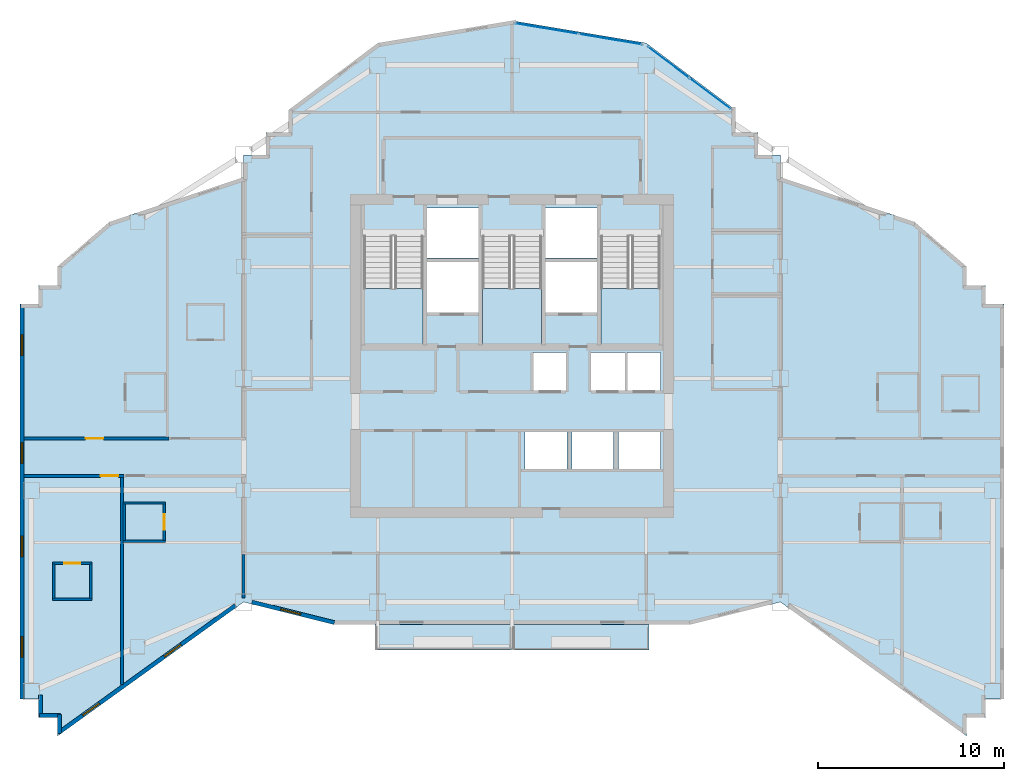
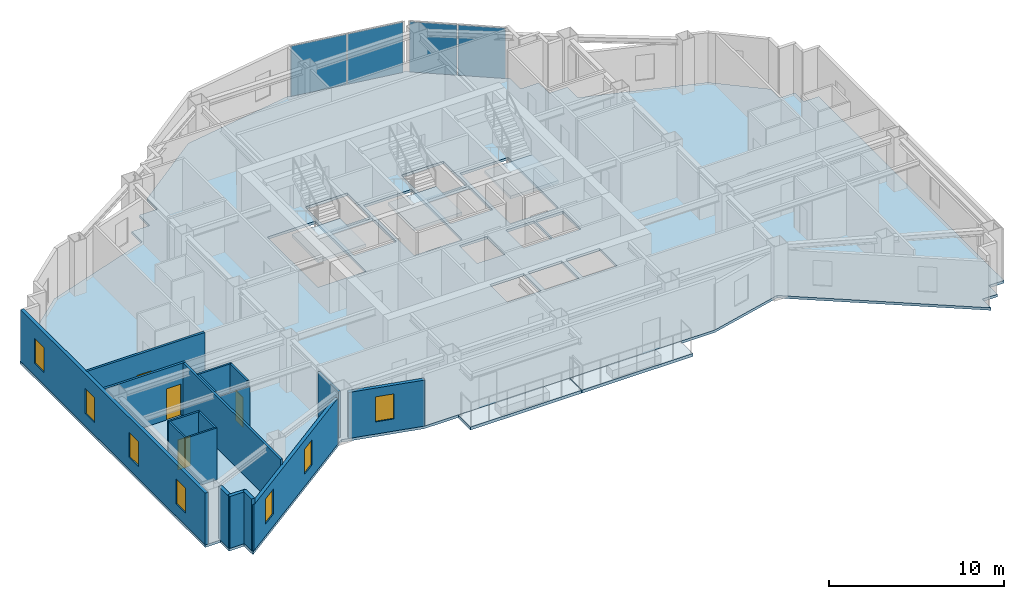
# One storey, part 4 of 10: 18 walls, 7 windows, 6 slabs, 4 doors, 4 plates, 11 openings, 5 elements without a shape of their own.
"""IFC4 building model written with IfcOpenShell, lengths in metres."""

from ifc_helpers import new_model, si_unit, direction, frame, frame_2d, origin, origin_2d, place, context, subcontext, project, spatial, polyline, rectangle, outline, extrude, material, layer, layer_set, type_object, element, fill, aggregate, save


model = new_model("IFC4")

# Units and contexts
model_context = context("Model", 3, precision=1e-05, world=origin(), true_north=direction((0.0, 1.0)))
body_context = subcontext(model_context, "Body", "Model", "MODEL_VIEW")
ifc_project = project(units=[si_unit("LENGTHUNIT", "METRE"), si_unit("AREAUNIT", "SQUARE_METRE"), si_unit("VOLUMEUNIT", "CUBIC_METRE"), si_unit("PLANEANGLEUNIT", "RADIAN"), si_unit("MASSUNIT", "GRAM", prefix="KILO")], contexts=[model_context])

# Site, building, storey
site_placement = place(None, origin())
site = spatial("IfcSite", under=ifc_project, at=site_placement, CompositionType="ELEMENT")
building_placement = place(site_placement, origin())
building = spatial("IfcBuilding", under=site, at=building_placement, Name="Haolan Belvedere Tower", CompositionType="ELEMENT")
storey_placement = place(building_placement, frame((0.0, 0.0, 180.39990234375)))
storey = spatial("IfcBuildingStorey", under=building, at=storey_placement, Name="L45", CompositionType="ELEMENT", Elevation=180.39990234375)

# Curtain wall, plates
ifc_material_1 = material(Name="Anodised champagne-silver aluminium 6063-T6 and Low-E glass", Category="aluminium")
ifc_layer_1 = layer(ifc_material_1, 0.14990234375, Name="Anodised champagne-silver aluminium 6063-T6 and Low-E glass")
ifc_layer_set_1 = layer_set([ifc_layer_1], Name="Anodised champagne-silver aluminium 6063-T6 and Low-E glass")
curtain_wall_type = type_object("IfcCurtainWallType", Name="CW-SYS-04", PredefinedType="NOTDEFINED", material=ifc_layer_set_1)
curtain_wall_1_placement = place(storey_placement, origin())
curtain_wall_1 = element("IfcCurtainWall", 1, at=curtain_wall_1_placement, inside=storey, type_object=curtain_wall_type, Name="L45 CW-SYS-04 ribbon curtain wall 20.1", PredefinedType="NOTDEFINED")
ifc_material_2 = material(Name="Double silver Low-E laminated insulating glass", Category="glass")
ifc_layer_2 = layer(ifc_material_2, 0.02392578125, Name="Double silver Low-E laminated insulating glass")
ifc_layer_set_2 = layer_set([ifc_layer_2], Name="Double silver Low-E laminated insulating glass")
plate_type = type_object("IfcPlateType", Name="CW-SYS-04-PNL", PredefinedType="CURTAIN_PANEL", material=ifc_layer_set_2)
plate_1_placement = place(storey_placement, frame((49.0390625, 48.883056640625, 0.052001953125), z_axis=(0.0, 0.0, 1.0), x_axis=(-0.799997871638, 0.600002837806, 0.0)))
plate_1 = element("IfcPlate", 2, at=plate_1_placement, type_object=plate_type, Name="CW-04 panel 1.1", PredefinedType="CURTAIN_PANEL", context=body_context, shape_type="SweptSolid", body=[
    extrude(rectangle(XDim=2.735107421875, YDim=0.02392578125, at=origin_2d()), origin(), (0.0, 0.0, 1.0), 3.51611328125),
])
plate_2_placement = place(storey_placement, frame((46.806396484375, 50.557861328125, 0.052001953125), z_axis=(0.0, 0.0, 1.0), x_axis=(-0.799997871638, 0.600002837806, 0.0)))
plate_2 = element("IfcPlate", 3, at=plate_2_placement, type_object=plate_type, Name="CW-04 panel 2.1", PredefinedType="CURTAIN_PANEL", context=body_context, shape_type="SweptSolid", body=[
    extrude(rectangle(XDim=2.735107421875, YDim=0.02392578125, at=origin_2d()), origin(), (0.0, 0.0, 1.0), 3.51611328125),
])
aggregate(curtain_wall_1, [plate_1, plate_2])

curtain_wall_2_placement = place(storey_placement, origin())
curtain_wall_2 = element("IfcCurtainWall", 4, at=curtain_wall_2_placement, inside=storey, type_object=curtain_wall_type, Name="L45 CW-SYS-04 ribbon curtain wall 21.1", PredefinedType="NOTDEFINED")
plate_3_placement = place(storey_placement, frame((43.683837890625, 51.807861328125, 0.052001953125), z_axis=(0.0, 0.0, 1.0), x_axis=(-0.98639276122, 0.164405962825, 0.0)))
plate_3 = element("IfcPlate", 5, at=plate_3_placement, type_object=plate_type, Name="CW-04 panel 1.1", PredefinedType="CURTAIN_PANEL", context=body_context, shape_type="SweptSolid", body=[
    extrude(rectangle(XDim=3.403076171875, YDim=0.02392578125, at=origin_2d()), origin(), (0.0, 0.0, 1.0), 3.51611328125),
])
plate_4_placement = place(storey_placement, frame((40.271728515625, 52.37646484375, 0.052001953125), z_axis=(0.0, 0.0, 1.0), x_axis=(-0.98639276122, 0.164405962825, 0.0)))
plate_4 = element("IfcPlate", 6, at=plate_4_placement, type_object=plate_type, Name="CW-04 panel 2.1", PredefinedType="CURTAIN_PANEL", context=body_context, shape_type="SweptSolid", body=[
    extrude(rectangle(XDim=3.403076171875, YDim=0.02392578125, at=origin_2d()), origin(), (0.0, 0.0, 1.0), 3.51611328125),
])
aggregate(curtain_wall_2, [plate_3, plate_4])

# Slabs
ifc_material_3 = material(Name="Concrete C40/50", Category="concrete")
ifc_layer_3 = layer(ifc_material_3, 0.2099609375, Name="Concrete C40/50")
ifc_layer_set_3 = layer_set([ifc_layer_3], Name="Concrete C40/50")
slab_type_1 = type_object("IfcSlabType", Name="SL-BAL-210", PredefinedType="FLOOR", material=ifc_layer_set_3)
slab_1_placement = place(storey_placement, frame((0.0, 0.0, -0.22998046875)))
element("IfcSlab", 7, at=slab_1_placement, inside=storey, type_object=slab_type_1, Name="L45 structural tree-planter balcony slab BAL-L45-S1", PredefinedType="FLOOR", context=body_context, shape_type="SweptSolid", body=[
    extrude(outline(polyline([(31.050048828125, 19.02001953125), (38.3798828125, 19.02001953125), (38.3798828125, 20.39990234375), (31.050048828125, 20.39990234375), (31.050048828125, 19.02001953125)])), origin(), (0.0, 0.0, 1.0), 0.2099609375),
])
slab_2_placement = place(storey_placement, frame((0.0, 0.0, -0.22998046875)))
element("IfcSlab", 8, at=slab_2_placement, inside=storey, type_object=slab_type_1, Name="L45 structural tree-planter balcony slab BAL-L45-S2", PredefinedType="FLOOR", context=body_context, shape_type="SweptSolid", body=[
    extrude(outline(polyline([(38.419921875, 19.02001953125), (45.75, 19.02001953125), (45.75, 20.39990234375), (38.419921875, 20.39990234375), (38.419921875, 19.02001953125)])), origin(), (0.0, 0.0, 1.0), 0.2099609375),
])
ifc_layer_4 = layer(ifc_material_3, 0.179931640625, Name="Concrete C40/50")
ifc_layer_set_4 = layer_set([ifc_layer_4], Name="Concrete C40/50")
slab_type_2 = type_object("IfcSlabType", Name="SL-FLR-180", PredefinedType="FLOOR", material=ifc_layer_set_4)
slab_3_placement = place(storey_placement, frame((0.0, 0.0, -0.179931640625)))
element("IfcSlab", 9, at=slab_3_placement, inside=storey, type_object=slab_type_2, Name="L45 structural floor slab", PredefinedType="FLOOR", context=body_context, shape_type="SweptSolid", body=[
    extrude(outline(polyline([(24.0, 21.60009765625), (28.800048828125, 20.39990234375), (48.0, 20.39990234375), (52.800048828125, 21.60009765625), (62.800048828125, 14.39990234375), (62.800048828125, 15.39990234375), (63.800048828125, 15.39990234375), (63.800048828125, 16.39990234375), (64.800048828125, 16.39990234375), (64.800048828125, 37.60009765625), (63.800048828125, 37.60009765625), (63.800048828125, 38.60009765625), (62.800048828125, 38.60009765625), (62.800048828125, 39.60009765625), (60.0, 42.0), (52.800048828125, 44.39990234375), (52.800048828125, 45.60009765625), (51.60009765625, 45.60009765625), (51.60009765625, 46.800048828125), (50.39990234375, 46.800048828125), (50.39990234375, 48.0), (45.60009765625, 51.60009765625), (38.39990234375, 52.800048828125), (31.199951171875, 51.60009765625), (26.39990234375, 48.0), (26.39990234375, 46.800048828125), (25.199951171875, 46.800048828125), (25.199951171875, 45.60009765625), (24.0, 45.60009765625), (24.0, 44.39990234375), (16.800048828125, 42.0), (14.0, 39.60009765625), (14.0, 38.60009765625), (13.0, 38.60009765625), (13.0, 37.60009765625), (12.0, 37.60009765625), (12.0, 16.800048828125), (12.0, 16.39990234375), (13.0, 16.39990234375), (13.0, 15.39990234375), (14.0, 15.39990234375), (14.0, 14.39990234375), (24.0, 21.60009765625)]), holes=[polyline([(30.449951171875, 41.22998046875), (30.449951171875, 35.449951171875), (33.6298828125, 35.449951171875), (33.6298828125, 41.22998046875), (30.449951171875, 41.22998046875)]), polyline([(36.81005859375, 41.22998046875), (36.81005859375, 35.449951171875), (39.989990234375, 35.449951171875), (39.989990234375, 41.22998046875), (36.81005859375, 41.22998046875)]), polyline([(43.169921875, 41.22998046875), (43.169921875, 35.449951171875), (46.35009765625, 35.449951171875), (46.35009765625, 41.22998046875), (43.169921875, 41.22998046875)]), polyline([(33.830078125, 40.050048828125), (36.610107421875, 40.050048828125), (36.610107421875, 42.75), (33.830078125, 42.75), (33.830078125, 40.050048828125)]), polyline([(33.830078125, 37.14990234375), (36.610107421875, 37.14990234375), (36.610107421875, 39.85009765625), (33.830078125, 39.85009765625), (33.830078125, 37.14990234375)]), polyline([(40.18994140625, 40.050048828125), (42.969970703125, 40.050048828125), (42.969970703125, 42.75), (40.18994140625, 42.75), (40.18994140625, 40.050048828125)]), polyline([(40.18994140625, 37.14990234375), (42.969970703125, 37.14990234375), (42.969970703125, 39.85009765625), (40.18994140625, 39.85009765625), (40.18994140625, 37.14990234375)]), polyline([(39.5400390625, 32.949951171875), (41.389892578125, 32.949951171875), (41.389892578125, 35.0), (39.5400390625, 35.0), (39.5400390625, 32.949951171875)]), polyline([(42.6201171875, 32.949951171875), (44.469970703125, 32.949951171875), (44.469970703125, 35.0), (42.6201171875, 35.0), (42.6201171875, 32.949951171875)]), polyline([(44.580078125, 32.949951171875), (46.3798828125, 32.949951171875), (46.3798828125, 35.0), (44.580078125, 35.0), (44.580078125, 32.949951171875)]), polyline([(39.10009765625, 28.75), (41.340087890625, 28.75), (41.340087890625, 30.75), (39.10009765625, 30.75), (39.10009765625, 28.75)]), polyline([(41.610107421875, 28.75), (43.85009765625, 28.75), (43.85009765625, 30.75), (41.610107421875, 30.75), (41.610107421875, 28.75)]), polyline([(44.1201171875, 28.75), (46.360107421875, 28.75), (46.360107421875, 30.75), (44.1201171875, 30.75), (44.1201171875, 28.75)])]), origin(), (0.0, 0.0, 1.0), 0.179931640625),
])

# Stair, slab
stair_type = type_object("IfcStairType", Name="STR-DL-22R-173", PredefinedType="HALF_TURN_STAIR", material=ifc_material_3)
stair_1_placement = place(storey_placement, origin())
stair_1 = element("IfcStair", 10, at=stair_1_placement, inside=storey, type_object=stair_type, Name="L45 Smokeproof Core Exit Stair ST1", PredefinedType="HALF_TURN_STAIR")
ifc_layer_5 = layer(ifc_material_3, 0.199951171875, Name="Concrete C40/50")
ifc_layer_set_5 = layer_set([ifc_layer_5], Name="Concrete C40/50")
slab_type_3 = type_object("IfcSlabType", Name="SL-LAND-200", PredefinedType="LANDING", material=ifc_layer_set_5)
slab_4_placement = place(storey_placement, frame((0.0, 0.0, 1.7001953125)))
slab_4 = element("IfcSlab", 11, at=slab_4_placement, type_object=slab_type_3, Name="ST1 landing 1", PredefinedType="LANDING", context=body_context, shape_type="SweptSolid", body=[
    extrude(outline(polyline([(30.449951171875, 38.429931640625), (30.449951171875, 35.449951171875), (33.6298828125, 35.449951171875), (33.6298828125, 38.429931640625), (30.449951171875, 38.429931640625)])), origin(), (0.0, 0.0, 1.0), 0.199951171875),
])
aggregate(stair_1, [slab_4])

stair_2_placement = place(storey_placement, origin())
stair_2 = element("IfcStair", 12, at=stair_2_placement, inside=storey, type_object=stair_type, Name="L45 Smokeproof Core Exit Stair ST3", PredefinedType="HALF_TURN_STAIR")
slab_5_placement = place(storey_placement, frame((0.0, 0.0, 1.7001953125)))
slab_5 = element("IfcSlab", 13, at=slab_5_placement, type_object=slab_type_3, Name="ST3 landing 1", PredefinedType="LANDING", context=body_context, shape_type="SweptSolid", body=[
    extrude(outline(polyline([(36.81005859375, 38.429931640625), (36.81005859375, 35.449951171875), (39.989990234375, 35.449951171875), (39.989990234375, 38.429931640625), (36.81005859375, 38.429931640625)])), origin(), (0.0, 0.0, 1.0), 0.199951171875),
])
aggregate(stair_2, [slab_5])

stair_3_placement = place(storey_placement, origin())
stair_3 = element("IfcStair", 14, at=stair_3_placement, inside=storey, type_object=stair_type, Name="L45 Smokeproof Core Exit Stair ST2", PredefinedType="HALF_TURN_STAIR")
slab_6_placement = place(storey_placement, frame((0.0, 0.0, 1.7001953125)))
slab_6 = element("IfcSlab", 15, at=slab_6_placement, type_object=slab_type_3, Name="ST2 landing 1", PredefinedType="LANDING", context=body_context, shape_type="SweptSolid", body=[
    extrude(outline(polyline([(43.169921875, 38.429931640625), (43.169921875, 35.449951171875), (46.35009765625, 35.449951171875), (46.35009765625, 38.429931640625), (43.169921875, 38.429931640625)])), origin(), (0.0, 0.0, 1.0), 0.199951171875),
])
aggregate(stair_3, [slab_6])

# Wall, openings, windows
ifc_material_4 = material(Name="Precast concrete C40/50", Category="concrete")
ifc_layer_6 = layer(ifc_material_4, 0.219970703125, Name="Precast concrete C40/50")
ifc_layer_set_6 = layer_set([ifc_layer_6], Name="Precast concrete C40/50")
wall_type_1 = type_object("IfcWallType", Name="WL-EXT-220", PredefinedType="SOLIDWALL", material=ifc_layer_set_6)
wall_1_placement = place(storey_placement, frame((12.110107421875, 37.544921875, 0.0), z_axis=(0.0, 0.0, 1.0), x_axis=(0.0, -1.0, 0.0)))
wall_1 = element("IfcWall", 16, at=wall_1_placement, inside=storey, type_object=wall_type_1, Name="L45 pale-metal exterior spandrel wall 35.1", PredefinedType="SOLIDWALL", context=body_context, shape_type="SweptSolid", body=[
    extrude(rectangle(XDim=21.14501953125, YDim=0.219970703125, at=frame_2d((10.572509765625, 0.0))), origin(), (0.0, 0.0, 1.0), 3.6201171875),
])
opening_1_placement = place(wall_1_placement, frame((1.60009765625, 0.0, 0.85009765625)))
opening_1 = element("IfcOpeningElement", 17, at=opening_1_placement, cuts=wall_1, Name="Opening W-03", PredefinedType="OPENING", context=body_context, shape_type="SweptSolid", body=[
    extrude(rectangle(XDim=1.10009765625, YDim=1.75, at=frame_2d((0.550048828125, 0.875))), frame((0.0, 0.119873046875, 0.0), z_axis=(0.0, -1.0, 0.0), x_axis=(1.0, 0.0, 0.0)), (0.0, 0.0, 1.0), 0.239990234375),
])
opening_2_placement = place(wall_1_placement, frame((7.39990234375, 0.0, 0.85009765625)))
opening_2 = element("IfcOpeningElement", 18, at=opening_2_placement, cuts=wall_1, Name="Opening W-03", PredefinedType="OPENING", context=body_context, shape_type="SweptSolid", body=[
    extrude(rectangle(XDim=1.10009765625, YDim=1.75, at=frame_2d((0.550048828125, 0.875))), frame((0.0, 0.119873046875, 0.0), z_axis=(0.0, -1.0, 0.0), x_axis=(1.0, 0.0, 0.0)), (0.0, 0.0, 1.0), 0.239990234375),
])
opening_3_placement = place(wall_1_placement, frame((12.39990234375, 0.0, 0.85009765625)))
opening_3 = element("IfcOpeningElement", 19, at=opening_3_placement, cuts=wall_1, Name="Opening W-03", PredefinedType="OPENING", context=body_context, shape_type="SweptSolid", body=[
    extrude(rectangle(XDim=1.10009765625, YDim=1.75, at=frame_2d((0.550048828125, 0.875))), frame((0.0, 0.119873046875, 0.0), z_axis=(0.0, -1.0, 0.0), x_axis=(1.0, 0.0, 0.0)), (0.0, 0.0, 1.0), 0.239990234375),
])
opening_4_placement = place(wall_1_placement, frame((17.800048828125, 0.0, 0.85009765625)))
opening_4 = element("IfcOpeningElement", 20, at=opening_4_placement, cuts=wall_1, Name="Opening W-03", PredefinedType="OPENING", context=body_context, shape_type="SweptSolid", body=[
    extrude(rectangle(XDim=1.10009765625, YDim=1.75, at=frame_2d((0.550048828125, 0.875))), frame((0.0, 0.119873046875, 0.0), z_axis=(0.0, -1.0, 0.0), x_axis=(1.0, 0.0, 0.0)), (0.0, 0.0, 1.0), 0.239990234375),
])
ifc_material_5 = material(Name="Anodised aluminium 6063-T6 and Low-E glass", Category="aluminium")
window_type = type_object("IfcWindowType", Name="WN-DECO-Z3", PartitioningType="SINGLE_PANEL", PredefinedType="WINDOW", material=ifc_material_5)
window_1_placement = place(opening_1_placement, origin())
window_1 = element("IfcWindow", 21, at=window_1_placement, inside=storey, type_object=window_type, Name="L45 Art Deco chevron window 1", OverallHeight=1.75, OverallWidth=1.10009765625, PartitioningType="SINGLE_PANEL", PredefinedType="WINDOW", context=body_context, shape_type="SweptSolid", body=[
    extrude(rectangle(XDim=1.10009765625, YDim=1.75, at=frame_2d((0.550048828125, 0.875))), frame((0.0, 0.030029296875, 0.0), z_axis=(0.0, -1.0, 0.0), x_axis=(1.0, 0.0, 0.0)), (0.0, 0.0, 1.0), 0.06005859375),
])
fill(opening_1, window_1)
window_2_placement = place(opening_2_placement, origin())
window_2 = element("IfcWindow", 22, at=window_2_placement, inside=storey, type_object=window_type, Name="L45 Art Deco chevron window 2", OverallHeight=1.75, OverallWidth=1.10009765625, PartitioningType="SINGLE_PANEL", PredefinedType="WINDOW", context=body_context, shape_type="SweptSolid", body=[
    extrude(rectangle(XDim=1.10009765625, YDim=1.75, at=frame_2d((0.550048828125, 0.875))), frame((0.0, 0.030029296875, 0.0), z_axis=(0.0, -1.0, 0.0), x_axis=(1.0, 0.0, 0.0)), (0.0, 0.0, 1.0), 0.06005859375),
])
fill(opening_2, window_2)
window_3_placement = place(opening_3_placement, origin())
window_3 = element("IfcWindow", 23, at=window_3_placement, inside=storey, type_object=window_type, Name="L45 Art Deco chevron window 3", OverallHeight=1.75, OverallWidth=1.10009765625, PartitioningType="SINGLE_PANEL", PredefinedType="WINDOW", context=body_context, shape_type="SweptSolid", body=[
    extrude(rectangle(XDim=1.10009765625, YDim=1.75, at=frame_2d((0.550048828125, 0.875))), frame((0.0, 0.030029296875, 0.0), z_axis=(0.0, -1.0, 0.0), x_axis=(1.0, 0.0, 0.0)), (0.0, 0.0, 1.0), 0.06005859375),
])
fill(opening_3, window_3)
window_4_placement = place(opening_4_placement, origin())
window_4 = element("IfcWindow", 24, at=window_4_placement, inside=storey, type_object=window_type, Name="L45 Art Deco chevron window 4", OverallHeight=1.75, OverallWidth=1.10009765625, PartitioningType="SINGLE_PANEL", PredefinedType="WINDOW", context=body_context, shape_type="SweptSolid", body=[
    extrude(rectangle(XDim=1.10009765625, YDim=1.75, at=frame_2d((0.550048828125, 0.875))), frame((0.0, 0.030029296875, 0.0), z_axis=(0.0, -1.0, 0.0), x_axis=(1.0, 0.0, 0.0)), (0.0, 0.0, 1.0), 0.06005859375),
])
fill(opening_4, window_4)

# Walls
wall_2_placement = place(storey_placement, frame((13.110107421875, 16.6201171875, 0.0), z_axis=(0.0, 0.0, 1.0), x_axis=(0.0, -1.0, 0.0)))
element("IfcWall", 25, at=wall_2_placement, inside=storey, type_object=wall_type_1, Name="L45 pale-metal exterior spandrel wall 37.1", PredefinedType="SOLIDWALL", context=body_context, shape_type="SweptSolid", body=[
    extrude(rectangle(XDim=1.1650390625, YDim=0.219970703125, at=frame_2d((0.58251953125, 0.0))), origin(), (0.0, 0.0, 1.0), 3.6201171875),
])
wall_3_placement = place(storey_placement, frame((13.054931640625, 15.510009765625, 0.0), z_axis=(0.0, 0.0, 1.0), x_axis=(1.0, 0.0, 0.0)))
element("IfcWall", 26, at=wall_3_placement, inside=storey, type_object=wall_type_1, Name="L45 pale-metal exterior spandrel wall 38.1", PredefinedType="SOLIDWALL", context=body_context, shape_type="SweptSolid", body=[
    extrude(rectangle(XDim=1.110107421875, YDim=0.219970703125, at=frame_2d((0.55517578125, 0.0))), origin(), (0.0, 0.0, 1.0), 3.6201171875),
])
wall_4_placement = place(storey_placement, frame((14.110107421875, 15.56494140625, 0.0), z_axis=(0.0, 0.0, 1.0), x_axis=(0.0, -1.0, 0.0)))
element("IfcWall", 27, at=wall_4_placement, inside=storey, type_object=wall_type_1, Name="L45 pale-metal exterior spandrel wall 39.1", PredefinedType="SOLIDWALL", context=body_context, shape_type="SweptSolid", body=[
    extrude(rectangle(XDim=1.005126953125, YDim=0.219970703125, at=frame_2d((0.50244140625, 0.0))), origin(), (0.0, 0.0, 1.0), 3.6201171875),
])

# Wall, openings, windows
wall_5_placement = place(storey_placement, frame((14.0654296875, 14.58251953125, 0.0), z_axis=(0.0, 0.0, 1.0), x_axis=(0.811534737332, 0.58430417601, 0.0)))
wall_5 = element("IfcWall", 28, at=wall_5_placement, inside=storey, type_object=wall_type_1, Name="L45 pale-metal exterior spandrel wall 40.1", PredefinedType="SOLIDWALL", context=body_context, shape_type="SweptSolid", body=[
    extrude(rectangle(XDim=11.697265625, YDim=0.219970703125, at=frame_2d((5.8486328125, 0.0))), origin(), (0.0, 0.0, 1.0), 3.215087890625),
])
opening_5_placement = place(wall_5_placement, frame((1.60009765625, 0.0, 0.85009765625)))
opening_5 = element("IfcOpeningElement", 29, at=opening_5_placement, cuts=wall_5, Name="Opening W-03", PredefinedType="OPENING", context=body_context, shape_type="SweptSolid", body=[
    extrude(rectangle(XDim=1.10009765625, YDim=1.75, at=frame_2d((0.550048828125, 0.875))), frame((0.0, 0.119873046875, 0.0), z_axis=(0.0, -1.0, 0.0), x_axis=(1.0, 0.0, 0.0)), (0.0, 0.0, 1.0), 0.239990234375),
])
opening_6_placement = place(wall_5_placement, frame((7.0, 0.0, 0.85009765625)))
opening_6 = element("IfcOpeningElement", 30, at=opening_6_placement, cuts=wall_5, Name="Opening W-03", PredefinedType="OPENING", context=body_context, shape_type="SweptSolid", body=[
    extrude(rectangle(XDim=1.10009765625, YDim=1.75, at=frame_2d((0.550048828125, 0.875))), frame((0.0, 0.119873046875, 0.0), z_axis=(0.0, -1.0, 0.0), x_axis=(1.0, 0.0, 0.0)), (0.0, 0.0, 1.0), 0.239990234375),
])
window_5_placement = place(opening_5_placement, origin())
window_5 = element("IfcWindow", 31, at=window_5_placement, inside=storey, type_object=window_type, Name="L45 Art Deco chevron window 1", OverallHeight=1.75, OverallWidth=1.10009765625, PartitioningType="SINGLE_PANEL", PredefinedType="WINDOW", context=body_context, shape_type="SweptSolid", body=[
    extrude(rectangle(XDim=1.10009765625, YDim=1.75, at=frame_2d((0.550048828125, 0.875))), frame((0.0, 0.030029296875, 0.0), z_axis=(0.0, -1.0, 0.0), x_axis=(1.0, 0.0, 0.0)), (0.0, 0.0, 1.0), 0.06005859375),
])
fill(opening_5, window_5)
window_6_placement = place(opening_6_placement, origin())
window_6 = element("IfcWindow", 32, at=window_6_placement, inside=storey, type_object=window_type, Name="L45 Art Deco chevron window 2", OverallHeight=1.75, OverallWidth=1.10009765625, PartitioningType="SINGLE_PANEL", PredefinedType="WINDOW", context=body_context, shape_type="SweptSolid", body=[
    extrude(rectangle(XDim=1.10009765625, YDim=1.75, at=frame_2d((0.550048828125, 0.875))), frame((0.0, 0.030029296875, 0.0), z_axis=(0.0, -1.0, 0.0), x_axis=(1.0, 0.0, 0.0)), (0.0, 0.0, 1.0), 0.06005859375),
])
fill(opening_6, window_6)

# Wall, opening, window
wall_6_placement = place(storey_placement, frame((24.44189453125, 21.602783203125, 0.0), z_axis=(0.0, 0.0, 1.0), x_axis=(0.970145648609, -0.242523030833, 0.0)))
wall_6 = element("IfcWall", 33, at=wall_6_placement, inside=storey, type_object=wall_type_1, Name="L45 pale-metal exterior spandrel wall 41.1", PredefinedType="SOLIDWALL", context=body_context, shape_type="SweptSolid", body=[
    extrude(rectangle(XDim=4.561279296875, YDim=0.219970703125, at=frame_2d((2.28076171875, 0.0))), origin(), (0.0, 0.0, 1.0), 3.215087890625),
])
opening_7_placement = place(wall_6_placement, frame((1.60009765625, 0.0, 0.85009765625)))
opening_7 = element("IfcOpeningElement", 34, at=opening_7_placement, cuts=wall_6, Name="Opening W-03", PredefinedType="OPENING", context=body_context, shape_type="SweptSolid", body=[
    extrude(rectangle(XDim=1.10009765625, YDim=1.75, at=frame_2d((0.550048828125, 0.875))), frame((0.0, 0.119873046875, 0.0), z_axis=(0.0, -1.0, 0.0), x_axis=(1.0, 0.0, 0.0)), (0.0, 0.0, 1.0), 0.239990234375),
])
window_7_placement = place(opening_7_placement, origin())
window_7 = element("IfcWindow", 35, at=window_7_placement, inside=storey, type_object=window_type, Name="L45 Art Deco chevron window 1", OverallHeight=1.75, OverallWidth=1.10009765625, PartitioningType="SINGLE_PANEL", PredefinedType="WINDOW", context=body_context, shape_type="SweptSolid", body=[
    extrude(rectangle(XDim=1.10009765625, YDim=1.75, at=frame_2d((0.550048828125, 0.875))), frame((0.0, 0.030029296875, 0.0), z_axis=(0.0, -1.0, 0.0), x_axis=(1.0, 0.0, 0.0)), (0.0, 0.0, 1.0), 0.06005859375),
])
fill(opening_7, window_7)

# Wall
ifc_material_6 = material(Name="Double gypsum acoustic stud partition", Category="masonry")
ifc_layer_7 = layer(ifc_material_6, 0.14990234375, Name="Double gypsum acoustic stud partition")
ifc_layer_set_7 = layer_set([ifc_layer_7], Name="Double gypsum acoustic stud partition")
wall_type_2 = type_object("IfcWallType", Name="WL-PART-150", PredefinedType="PARTITIONING", material=ifc_layer_set_7)
wall_7_placement = place(storey_placement, frame((24.0, 21.818603515625, 0.0), z_axis=(0.0, 0.0, 1.0), x_axis=(0.0, 1.0, 0.0)))
element("IfcWall", 36, at=wall_7_placement, inside=storey, type_object=wall_type_2, Name="L45 interior partition IW-L45-KS1-W", PredefinedType="PARTITIONING", context=body_context, shape_type="SweptSolid", body=[
    extrude(rectangle(XDim=2.34130859375, YDim=0.14990234375, at=frame_2d((1.170654296875, 0.0))), origin(), (0.0, 0.0, 1.0), 3.215087890625),
])

# Wall, opening, door
wall_8_placement = place(storey_placement, frame((12.2119140625, 30.3798828125, 0.0), z_axis=(0.0, 0.0, 1.0), x_axis=(1.0, 0.0, 0.0)))
wall_8 = element("IfcWall", 37, at=wall_8_placement, inside=storey, type_object=wall_type_2, Name="L45 interior partition IW-L45-T2N1-S", PredefinedType="PARTITIONING", context=body_context, shape_type="SweptSolid", body=[
    extrude(rectangle(XDim=7.7880859375, YDim=0.14990234375, at=frame_2d((3.89404296875, 0.0))), origin(), (0.0, 0.0, 1.0), 3.6201171875),
])
opening_8_placement = place(wall_8_placement, frame((3.30810546875, 0.0, 0.0)))
opening_8 = element("IfcOpeningElement", 38, at=opening_8_placement, cuts=wall_8, Name="Opening ID-01", PredefinedType="OPENING", context=body_context, shape_type="SweptSolid", body=[
    extrude(rectangle(XDim=0.949951171875, YDim=2.179931640625, at=frame_2d((0.47509765625, 1.08984375))), frame((0.0, 0.0849609375, 0.0), z_axis=(0.0, -1.0, 0.0), x_axis=(1.0, 0.0, 0.0)), (0.0, 0.0, 1.0), 0.169921875),
])
ifc_material_7 = material(Name="Acoustic walnut veneer fire-rated timber", Category="wood")
door_type_1 = type_object("IfcDoorType", Name="DR-SUITE-950", OperationType="NOTDEFINED", PredefinedType="DOOR", material=ifc_material_7)
door_1_placement = place(opening_8_placement, origin())
door_1 = element("IfcDoor", 39, at=door_1_placement, inside=storey, type_object=door_type_1, Name="L45 door ID-L45-T2N1-ENT", OperationType="SINGLE_SWING_RIGHT", OverallHeight=2.179931640625, OverallWidth=0.949951171875, PredefinedType="DOOR", context=body_context, shape_type="SweptSolid", body=[
    extrude(rectangle(XDim=0.949951171875, YDim=2.179931640625, at=frame_2d((0.47509765625, 1.08984375))), frame((0.0, 0.02490234375, 0.0), z_axis=(0.0, -1.0, 0.0), x_axis=(1.0, 0.0, 0.0)), (0.0, 0.0, 1.0), 0.050048828125),
])
fill(opening_8, door_1)

wall_9_placement = place(storey_placement, frame((12.2119140625, 28.3701171875, 0.0), z_axis=(0.0, 0.0, 1.0), x_axis=(1.0, 0.0, 0.0)))
wall_9 = element("IfcWall", 40, at=wall_9_placement, inside=storey, type_object=wall_type_2, Name="L45 interior partition IW-L45-T2S1-N", PredefinedType="PARTITIONING", context=body_context, shape_type="SweptSolid", body=[
    extrude(rectangle(XDim=5.3681640625, YDim=0.14990234375, at=frame_2d((2.68408203125, 0.0))), origin(), (0.0, 0.0, 1.0), 3.6201171875),
])
opening_9_placement = place(wall_9_placement, frame((5.0615234375, 0.0, 0.0), z_axis=(0.0, 0.0, 1.0), x_axis=(-1.0, 0.0, 0.0)))
opening_9 = element("IfcOpeningElement", 41, at=opening_9_placement, cuts=wall_9, Name="Opening ID-01", PredefinedType="OPENING", context=body_context, shape_type="SweptSolid", body=[
    extrude(rectangle(XDim=0.949951171875, YDim=2.179931640625, at=frame_2d((0.47509765625, 1.08984375))), frame((0.0, 0.0849609375, 0.0), z_axis=(0.0, -1.0, 0.0), x_axis=(1.0, 0.0, 0.0)), (0.0, 0.0, 1.0), 0.169921875),
])
door_2_placement = place(opening_9_placement, origin())
door_2 = element("IfcDoor", 42, at=door_2_placement, inside=storey, type_object=door_type_1, Name="L45 door ID-L45-T2S1-ENT", OperationType="SINGLE_SWING_RIGHT", OverallHeight=2.179931640625, OverallWidth=0.949951171875, PredefinedType="DOOR", context=body_context, shape_type="SweptSolid", body=[
    extrude(rectangle(XDim=0.949951171875, YDim=2.179931640625, at=frame_2d((0.47509765625, 1.08984375))), frame((0.0, 0.02490234375, 0.0), z_axis=(0.0, -1.0, 0.0), x_axis=(1.0, 0.0, 0.0)), (0.0, 0.0, 1.0), 0.050048828125),
])
fill(opening_9, door_2)

# Wall
wall_10_placement = place(storey_placement, frame((17.47998046875, 17.166748046875, 0.0), z_axis=(0.0, 0.0, 1.0), x_axis=(0.0, 1.0, 0.0)))
element("IfcWall", 43, at=wall_10_placement, inside=storey, type_object=wall_type_2, Name="L45 interior partition IW-L45-T2S1-E", PredefinedType="PARTITIONING", context=body_context, shape_type="SweptSolid", body=[
    extrude(rectangle(XDim=11.143310546875, YDim=0.14990234375, at=frame_2d((5.57177734375, 0.0))), origin(), (0.0, 0.0, 1.0), 3.6201171875),
])

# Wall, opening, door
ifc_material_8 = material(Name="Moisture-resistant gypsum tile partition", Category="masonry")
ifc_layer_8 = layer(ifc_material_8, 0.1201171875, Name="Moisture-resistant gypsum tile partition")
ifc_layer_set_8 = layer_set([ifc_layer_8], Name="Moisture-resistant gypsum tile partition")
wall_type_3 = type_object("IfcWallType", Name="WL-WET-120", PredefinedType="PARTITIONING", material=ifc_layer_set_8)
wall_11_placement = place(storey_placement, frame((13.7548828125, 23.677978515625, 0.0), z_axis=(0.0, 0.0, 1.0), x_axis=(1.0, 0.0, 0.0)))
wall_11 = element("IfcWall", 44, at=wall_11_placement, inside=storey, type_object=wall_type_3, Name="L45 interior partition IW-L45-T2S1-BN", PredefinedType="PARTITIONING", context=body_context, shape_type="SweptSolid", body=[
    extrude(rectangle(XDim=2.10009765625, YDim=0.1201171875, at=frame_2d((1.050048828125, 0.0))), origin(), (0.0, 0.0, 1.0), 3.6201171875),
])
opening_10_placement = place(wall_11_placement, frame((1.47509765625, 0.0, 0.0), z_axis=(0.0, 0.0, 1.0), x_axis=(-1.0, 0.0, 0.0)))
opening_10 = element("IfcOpeningElement", 45, at=opening_10_placement, cuts=wall_11, Name="Opening ID-05", PredefinedType="OPENING", context=body_context, shape_type="SweptSolid", body=[
    extrude(rectangle(XDim=0.85009765625, YDim=2.10009765625, at=frame_2d((0.425048828125, 1.050048828125))), frame((0.0, 0.070068359375, 0.0), z_axis=(0.0, -1.0, 0.0), x_axis=(1.0, 0.0, 0.0)), (0.0, 0.0, 1.0), 0.14013671875),
])
ifc_material_9 = material(Name="Moisture-resistant lacquered timber", Category="wood")
door_type_2 = type_object("IfcDoorType", Name="DR-BATH-850", OperationType="NOTDEFINED", PredefinedType="DOOR", material=ifc_material_9)
door_3_placement = place(opening_10_placement, origin())
door_3 = element("IfcDoor", 46, at=door_3_placement, inside=storey, type_object=door_type_2, Name="L45 door ID-L45-T2S1-BATH", OperationType="SINGLE_SWING_LEFT", OverallHeight=2.10009765625, OverallWidth=0.85009765625, PredefinedType="DOOR", context=body_context, shape_type="SweptSolid", body=[
    extrude(rectangle(XDim=0.85009765625, YDim=2.10009765625, at=frame_2d((0.425048828125, 1.050048828125))), frame((0.0, 0.02490234375, 0.0), z_axis=(0.0, -1.0, 0.0), x_axis=(1.0, 0.0, 0.0)), (0.0, 0.0, 1.0), 0.050048828125),
])
fill(opening_10, door_3)

# Walls
wall_12_placement = place(storey_placement, frame((13.7548828125, 21.758056640625, 0.0), z_axis=(0.0, 0.0, 1.0), x_axis=(1.0, 0.0, 0.0)))
element("IfcWall", 47, at=wall_12_placement, inside=storey, type_object=wall_type_3, Name="L45 interior partition IW-L45-T2S1-BS", PredefinedType="PARTITIONING", context=body_context, shape_type="SweptSolid", body=[
    extrude(rectangle(XDim=2.10009765625, YDim=0.1201171875, at=frame_2d((1.050048828125, 0.0))), origin(), (0.0, 0.0, 1.0), 3.6201171875),
])
for number, where, z_axis, x_axis, name in (
    (48, (13.81494140625, 21.802978515625, 0.0), (0.0, 0.0, 1.0), (0.0, 1.0, 0.0), "L45 interior partition IW-L45-T2S1-BW"),
    (49, (15.794921875, 21.802978515625, 0.0), (0.0, 0.0, 1.0), (0.0, 1.0, 0.0), "L45 interior partition IW-L45-T2S1-BE"),
):
    element("IfcWall", number, at=place(storey_placement, frame(where, z_axis=z_axis, x_axis=x_axis)), inside=storey, type_object=wall_type_3, Name=name, PredefinedType="PARTITIONING", context=body_context, shape_type="SweptSolid", body=[
        extrude(rectangle(XDim=1.830078125, YDim=0.1201171875, at=frame_2d((0.9150390625, 0.0))), origin(), (0.0, 0.0, 1.0), 3.6201171875),
    ])
wall_13_placement = place(storey_placement, frame((17.5400390625, 26.919921875, 0.0), z_axis=(0.0, 0.0, 1.0), x_axis=(1.0, 0.0, 0.0)))
element("IfcWall", 50, at=wall_13_placement, inside=storey, type_object=wall_type_3, Name="L45 interior partition IW-L45-T2S2-BN", PredefinedType="PARTITIONING", context=body_context, shape_type="SweptSolid", body=[
    extrude(rectangle(XDim=2.264892578125, YDim=0.1201171875, at=frame_2d((1.13232421875, 0.0))), origin(), (0.0, 0.0, 1.0), 3.6201171875),
])
wall_14_placement = place(storey_placement, frame((17.5400390625, 24.8701171875, 0.0), z_axis=(0.0, 0.0, 1.0), x_axis=(1.0, 0.0, 0.0)))
element("IfcWall", 51, at=wall_14_placement, inside=storey, type_object=wall_type_3, Name="L45 interior partition IW-L45-T2S2-BS", PredefinedType="PARTITIONING", context=body_context, shape_type="SweptSolid", body=[
    extrude(rectangle(XDim=2.264892578125, YDim=0.1201171875, at=frame_2d((1.13232421875, 0.0))), origin(), (0.0, 0.0, 1.0), 3.255126953125),
])
wall_15_placement = place(storey_placement, frame((17.594970703125, 24.9150390625, 0.0), z_axis=(0.0, 0.0, 1.0), x_axis=(0.0, 1.0, 0.0)))
element("IfcWall", 52, at=wall_15_placement, inside=storey, type_object=wall_type_3, Name="L45 interior partition IW-L45-T2S2-BW", PredefinedType="PARTITIONING", context=body_context, shape_type="SweptSolid", body=[
    extrude(rectangle(XDim=1.9599609375, YDim=0.1201171875, at=frame_2d((0.97998046875, 0.0))), origin(), (0.0, 0.0, 1.0), 3.6201171875),
])

# Wall, opening, door
wall_16_placement = place(storey_placement, frame((19.7451171875, 24.9150390625, 0.0), z_axis=(0.0, 0.0, 1.0), x_axis=(0.0, 1.0, 0.0)))
wall_16 = element("IfcWall", 53, at=wall_16_placement, inside=storey, type_object=wall_type_3, Name="L45 interior partition IW-L45-T2S2-BE", PredefinedType="PARTITIONING", context=body_context, shape_type="SweptSolid", body=[
    extrude(rectangle(XDim=1.9599609375, YDim=0.1201171875, at=frame_2d((0.97998046875, 0.0))), origin(), (0.0, 0.0, 1.0), 3.6201171875),
])
opening_11_placement = place(wall_16_placement, frame((0.554931640625, 0.0, 0.0)))
opening_11 = element("IfcOpeningElement", 54, at=opening_11_placement, cuts=wall_16, Name="Opening ID-05", PredefinedType="OPENING", context=body_context, shape_type="SweptSolid", body=[
    extrude(rectangle(XDim=0.85009765625, YDim=2.10009765625, at=frame_2d((0.425048828125, 1.050048828125))), frame((0.0, 0.070068359375, 0.0), z_axis=(0.0, -1.0, 0.0), x_axis=(1.0, 0.0, 0.0)), (0.0, 0.0, 1.0), 0.14013671875),
])
door_4_placement = place(opening_11_placement, origin())
door_4 = element("IfcDoor", 55, at=door_4_placement, inside=storey, type_object=door_type_2, Name="L45 door ID-L45-T2S2-BATH", OperationType="SINGLE_SWING_RIGHT", OverallHeight=2.10009765625, OverallWidth=0.85009765625, PredefinedType="DOOR", context=body_context, shape_type="SweptSolid", body=[
    extrude(rectangle(XDim=0.85009765625, YDim=2.10009765625, at=frame_2d((0.425048828125, 1.050048828125))), frame((0.0, 0.02490234375, 0.0), z_axis=(0.0, -1.0, 0.0), x_axis=(1.0, 0.0, 0.0)), (0.0, 0.0, 1.0), 0.050048828125),
])
fill(opening_11, door_4)

save(model, "model.ifc")
